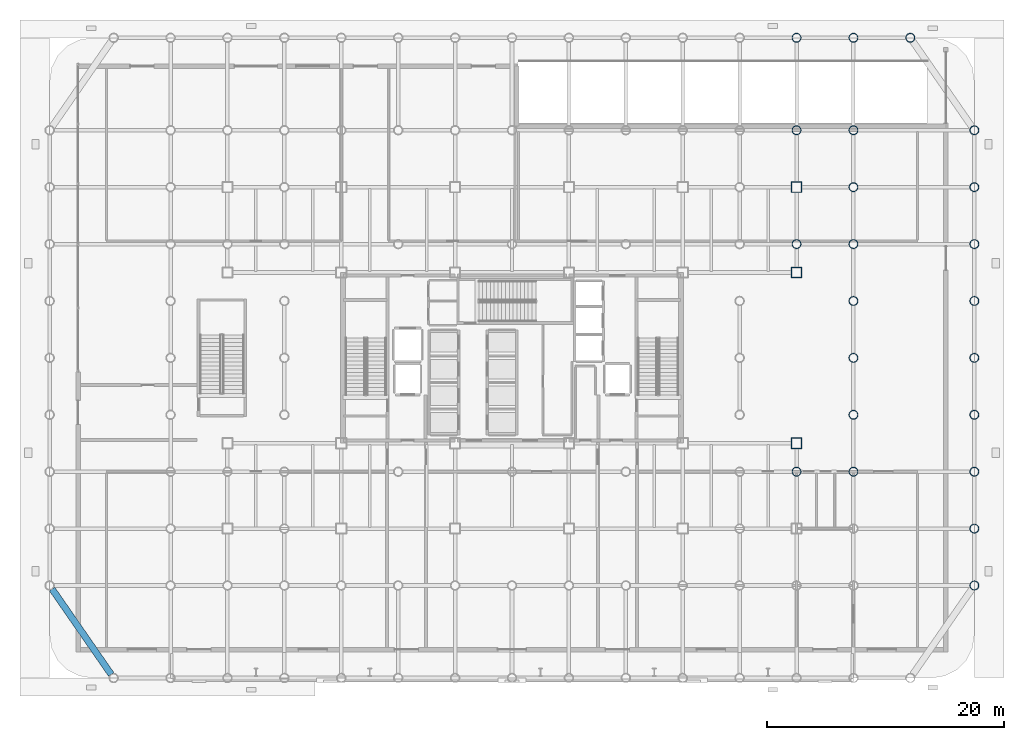
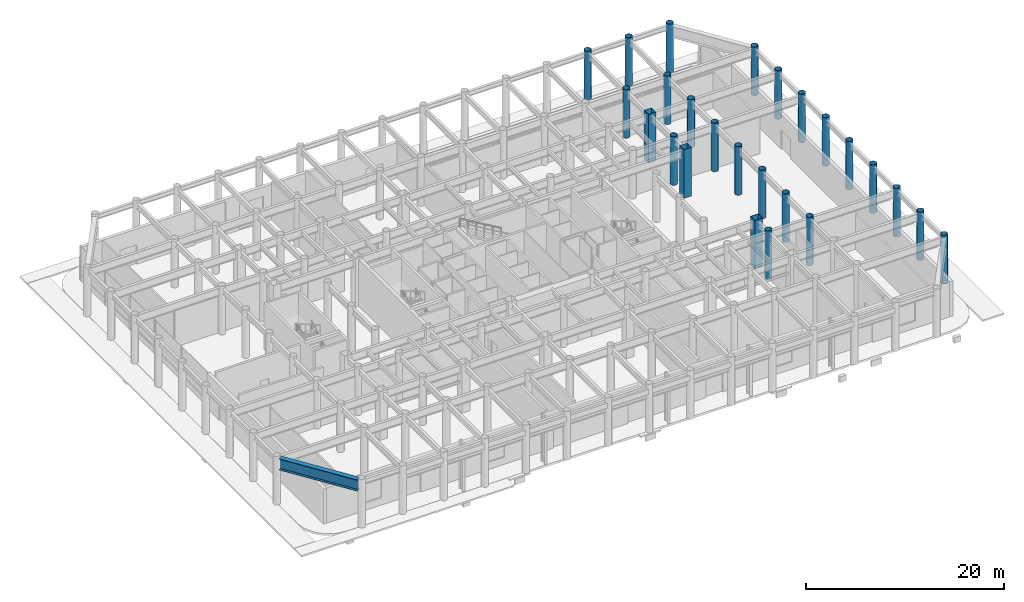
# One storey, part 5 of 23: 25 columns, 1 beam.
"""IFC4 building model written with IfcOpenShell, lengths in metres."""

from ifc_helpers import new_model, si_unit, direction, frame, origin, origin_2d, place, context, subcontext, project, spatial, hollow_rectangle, hollow_circle, i_section, extrude, material, material_profile, profile_set, type_object, element, save


model = new_model("IFC4")

# Units and contexts
model_context = context("Model", 3, precision=1e-05, world=origin(), true_north=direction((0.0, 1.0)))
body_context = subcontext(model_context, "Body", "Model", "MODEL_VIEW")
ifc_project = project(units=[si_unit("LENGTHUNIT", "METRE"), si_unit("AREAUNIT", "SQUARE_METRE"), si_unit("VOLUMEUNIT", "CUBIC_METRE"), si_unit("PLANEANGLEUNIT", "RADIAN"), si_unit("MASSUNIT", "GRAM", prefix="KILO")], contexts=[model_context])

# Site, building, storey
site_placement = place(None, origin())
site = spatial("IfcSite", under=ifc_project, at=site_placement, CompositionType="ELEMENT")
building_placement = place(site_placement, origin())
building = spatial("IfcBuilding", under=site, at=building_placement, Name="Kallvorn Hotel Tower", CompositionType="ELEMENT")
storey_placement = place(building_placement, origin())
storey = spatial("IfcBuildingStorey", under=building, at=storey_placement, Name="L00", CompositionType="ELEMENT", Elevation=0.0)

# Columns
ifc_material_1 = material(Name="Structural steel S355J2H", Category="steel")
ifc_material_profile_1 = material_profile(ifc_material_1, hollow_circle(Radius=0.381103515625, WallThickness=0.031982421875, at=origin_2d()), Name="CHS 762x32")
ifc_profile_set_1 = profile_set([ifc_material_profile_1], Name="Structural steel S355J2H")
column_type_1 = type_object("IfcColumnType", Name="COL_CHS_762", PredefinedType="COLUMN", material=ifc_profile_set_1)
for number, where, z_axis, x_axis, name in (
    (1, (24.0, -9.60009765625, 0.0), (0.0, 0.0, 1.0), (1.0, 0.0, 0.0), "L00 Exoskeleton Column EC87"),
    (2, (24.0, 9.60009765625, 0.0), (0.0, 0.0, 1.0), (1.0, 0.0, 0.0), "L00 Exoskeleton Column EC88"),
    (3, (24.0, 19.199951171875, 0.0), (0.0, 0.0, 1.0), (1.0, 0.0, 0.0), "L00 Exoskeleton Column EC89"),
    (4, (24.0, 27.0, 0.0), (0.0, 0.0, 1.0), (1.0, 0.0, 0.0), "L00 Exoskeleton Column EC90"),
    (5, (28.800048828125, -9.60009765625, 0.0), (0.0, 0.0, 1.0), (1.0, 0.0, 0.0), "L00 Exoskeleton Column EC94"),
    (6, (28.800048828125, -4.800048828125, 0.0), (0.0, 0.0, 1.0), (1.0, 0.0, 0.0), "L00 Exoskeleton Column EC95"),
    (7, (28.800048828125, 0.0, 0.0), (0.0, 0.0, 1.0), (1.0, 0.0, 0.0), "L00 Exoskeleton Column EC96"),
    (8, (28.800048828125, 4.800048828125, 0.0), (0.0, 0.0, 1.0), (1.0, 0.0, 0.0), "L00 Exoskeleton Column EC97"),
    (9, (28.800048828125, 9.60009765625, 0.0), (0.0, 0.0, 1.0), (1.0, 0.0, 0.0), "L00 Exoskeleton Column EC98"),
    (10, (28.800048828125, 14.39990234375, 0.0), (0.0, 0.0, 1.0), (1.0, 0.0, 0.0), "L00 Exoskeleton Column EC99"),
    (11, (28.800048828125, 19.199951171875, 0.0), (0.0, 0.0, 1.0), (1.0, 0.0, 0.0), "L00 Exoskeleton Column EC100"),
    (12, (28.800048828125, 27.0, 0.0), (0.0, 0.0, 1.0), (1.0, 0.0, 0.0), "L00 Exoskeleton Column EC101"),
    (13, (33.60009765625, 27.0, 0.0), (0.0, 0.0, 1.0), (1.0, 0.0, 0.0), "L00 Exoskeleton Column EC103"),
    (14, (39.0, -19.199951171875, 0.0), (0.0, 0.0, 1.0), (1.0, 0.0, 0.0), "L00 Exoskeleton Column EC104"),
    (15, (39.0, -14.39990234375, 0.0), (0.0, 0.0, 1.0), (1.0, 0.0, 0.0), "L00 Exoskeleton Column EC105"),
    (16, (39.0, -9.60009765625, 0.0), (0.0, 0.0, 1.0), (1.0, 0.0, 0.0), "L00 Exoskeleton Column EC106"),
    (17, (39.0, -4.800048828125, 0.0), (0.0, 0.0, 1.0), (1.0, 0.0, 0.0), "L00 Exoskeleton Column EC107"),
    (18, (39.0, 0.0, 0.0), (0.0, 0.0, 1.0), (1.0, 0.0, 0.0), "L00 Exoskeleton Column EC108"),
    (19, (39.0, 4.800048828125, 0.0), (0.0, 0.0, 1.0), (1.0, 0.0, 0.0), "L00 Exoskeleton Column EC109"),
    (20, (39.0, 9.60009765625, 0.0), (0.0, 0.0, 1.0), (1.0, 0.0, 0.0), "L00 Exoskeleton Column EC110"),
    (21, (39.0, 14.39990234375, 0.0), (0.0, 0.0, 1.0), (1.0, 0.0, 0.0), "L00 Exoskeleton Column EC111"),
    (22, (39.0, 19.199951171875, 0.0), (0.0, 0.0, 1.0), (1.0, 0.0, 0.0), "L00 Exoskeleton Column EC112"),
):
    element("IfcColumn", number, at=place(storey_placement, frame(where, z_axis=z_axis, x_axis=x_axis)), inside=storey, type_object=column_type_1, Name=name, PredefinedType="COLUMN", context=body_context, shape_type="SweptSolid", body=[
        extrude(hollow_circle(Radius=0.381103515625, WallThickness=0.031982421875, at=origin_2d()), origin(), (0.0, 0.0, 1.0), 6.0),
    ])
ifc_material_2 = material(Name="Structural steel S355J2H", Category="steel")
ifc_material_profile_2 = material_profile(ifc_material_2, hollow_rectangle(XDim=0.89990234375, YDim=0.89990234375, WallThickness=0.0400390625, at=origin_2d()), Name="RHS 900x900x40")
ifc_profile_set_2 = profile_set([ifc_material_profile_2], Name="Structural steel S355J2H")
column_type_2 = type_object("IfcColumnType", Name="COL_RHS_900", PredefinedType="COLUMN", material=ifc_profile_set_2)
for number, where, z_axis, x_axis, name in (
    (23, (24.0, -7.199951171875, 0.0), (0.0, 0.0, 1.0), (1.0, 0.0, 0.0), "L00 Inner Column IC22"),
    (24, (24.0, 7.199951171875, 0.0), (0.0, 0.0, 1.0), (1.0, 0.0, 0.0), "L00 Inner Column IC23"),
    (25, (24.0, 14.39990234375, 0.0), (0.0, 0.0, 1.0), (1.0, 0.0, 0.0), "L00 Inner Column IC24"),
):
    element("IfcColumn", number, at=place(storey_placement, frame(where, z_axis=z_axis, x_axis=x_axis)), inside=storey, type_object=column_type_2, Name=name, PredefinedType="COLUMN", context=body_context, shape_type="SweptSolid", body=[
        extrude(hollow_rectangle(XDim=0.89990234375, YDim=0.89990234375, WallThickness=0.0400390625, at=origin_2d()), origin(), (0.0, 0.0, 1.0), 6.0),
    ])

# Beam
ifc_material_3 = material(Name="Structural steel S355JR", Category="steel")
ifc_material_profile_3 = material_profile(ifc_material_3, i_section(OverallWidth=0.550048828125, OverallDepth=1.39990234375, WebThickness=0.02490234375, FlangeThickness=0.044921875, at=origin_2d()), Name="PG 1400x550x25x45")
ifc_profile_set_3 = profile_set([ifc_material_profile_3], Name="Structural steel S355JR")
beam_type = type_object("IfcBeamType", Name="BM_PG_1400", PredefinedType="BEAM", material=ifc_profile_set_3)
beam_placement = place(storey_placement, frame((-38.788818359375, -19.5048828125, 5.050048828125), z_axis=(0.569188202743, -0.82220726697, 0.0), x_axis=(0.82220726697, 0.569188202743, 0.0)))
element("IfcBeam", 26, at=beam_placement, inside=storey, type_object=beam_type, Name="L01 Rounded Corner Tie Beam 216", PredefinedType="BEAM", context=body_context, shape_type="SweptSolid", body=[
    extrude(i_section(OverallWidth=0.550048828125, OverallDepth=1.39990234375, WebThickness=0.02490234375, FlangeThickness=0.044921875, at=origin_2d()), origin(), (0.0, 0.0, 1.0), 8.744873046875),
])

save(model, "model.ifc")
